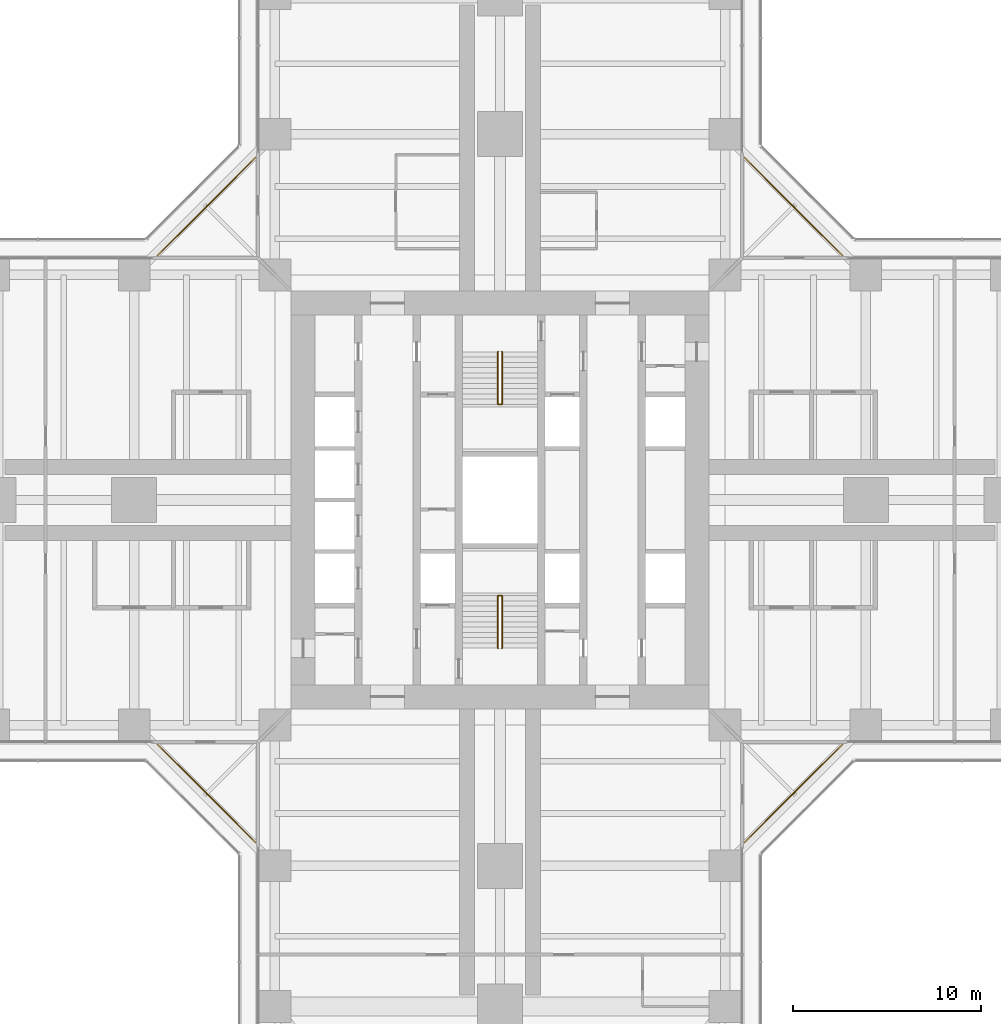
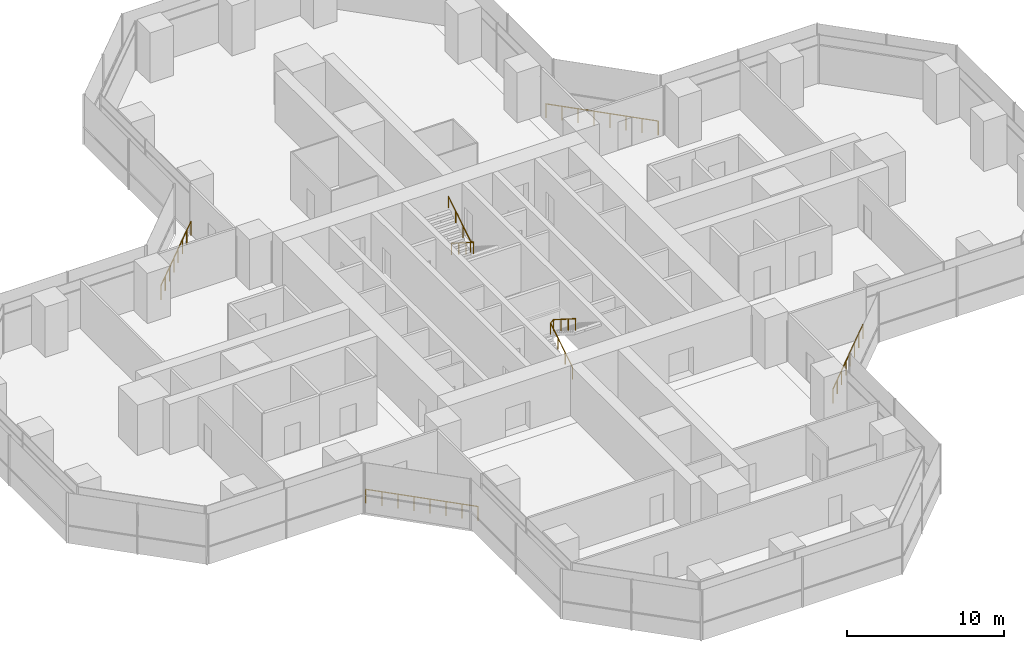
# One storey, part 22 of 22: 6 railings.
"""IFC4 building model written with IfcOpenShell, lengths in metres."""

from ifc_helpers import new_model, si_unit, direction, frame, origin, origin_2d, place, context, subcontext, project, spatial, circle, extrude, material, type_object, element, save


model = new_model("IFC4")

# Units and contexts
model_context = context("Model", 3, precision=1e-05, world=origin(), true_north=direction((0.0, 1.0)))
body_context = subcontext(model_context, "Body", "Model", "MODEL_VIEW")
ifc_project = project(units=[si_unit("LENGTHUNIT", "METRE"), si_unit("AREAUNIT", "SQUARE_METRE"), si_unit("VOLUMEUNIT", "CUBIC_METRE"), si_unit("PLANEANGLEUNIT", "RADIAN"), si_unit("MASSUNIT", "GRAM", prefix="KILO")], contexts=[model_context])

# Site, building, storey
site_placement = place(None, origin())
site = spatial("IfcSite", under=ifc_project, at=site_placement, CompositionType="ELEMENT")
building_placement = place(site_placement, origin())
building = spatial("IfcBuilding", under=site, at=building_placement, Name="Mizan Broadcast Tower", CompositionType="ELEMENT")
storey_placement = place(building_placement, frame((0.0, 0.0, 55.199951171875)))
storey = spatial("IfcBuildingStorey", under=building, at=storey_placement, Name="L10", CompositionType="ELEMENT", Elevation=55.199951171875)

# Railings
ifc_material_1 = material(Name="Stainless steel and glass guard", Category="steel")
railing_type_1 = type_object("IfcRailingType", Name="GUARD 1100", PredefinedType="GUARDRAIL", material=ifc_material_1)
railing_1_placement = place(storey_placement, frame((18.2578125, 13.030029296875, 0.0)))
element("IfcRailing", 1, at=railing_1_placement, inside=storey, type_object=railing_type_1, Name="Winter garden guard L10 E", PredefinedType="GUARDRAIL", context=body_context, shape_type="SweptSolid", body=[
    extrude(circle(Radius=0.02392578125, at=origin_2d()), frame((0.0, 0.0, 1.076171875), z_axis=(-0.707106781187, 0.707106781187, 0.0), x_axis=(-0.707106781187, -0.707106781187, 0.0)), (0.0, 0.0, 1.0), 7.393310546875),
    extrude(circle(Radius=0.02099609375, at=origin_2d()), origin(), (0.0, 0.0, 1.0), 1.052001953125),
    extrude(circle(Radius=0.02099609375, at=origin_2d()), frame((-0.746826171875, 0.746826171875, 0.0)), (0.0, 0.0, 1.0), 1.052001953125),
    extrude(circle(Radius=0.02099609375, at=origin_2d()), frame((-1.49365234375, 1.49365234375, 0.0)), (0.0, 0.0, 1.0), 1.052001953125),
    extrude(circle(Radius=0.02099609375, at=origin_2d()), frame((-2.240478515625, 2.240478515625, 0.0)), (0.0, 0.0, 1.0), 1.052001953125),
    extrude(circle(Radius=0.02099609375, at=origin_2d()), frame((-2.9873046875, 2.9873046875, 0.0)), (0.0, 0.0, 1.0), 1.052001953125),
    extrude(circle(Radius=0.02099609375, at=origin_2d()), frame((-3.734130859375, 3.734130859375, 0.0)), (0.0, 0.0, 1.0), 1.052001953125),
    extrude(circle(Radius=0.02099609375, at=origin_2d()), frame((-4.48095703125, 4.48095703125, 0.0)), (0.0, 0.0, 1.0), 1.052001953125),
    extrude(circle(Radius=0.02099609375, at=origin_2d()), frame((-5.227783203125, 5.227783203125, 0.0)), (0.0, 0.0, 1.0), 1.052001953125),
])
railing_2_placement = place(storey_placement, frame((-13.030029296875, 18.2578125, 0.0)))
element("IfcRailing", 2, at=railing_2_placement, inside=storey, type_object=railing_type_1, Name="Winter garden guard L10 N", PredefinedType="GUARDRAIL", context=body_context, shape_type="SweptSolid", body=[
    extrude(circle(Radius=0.02392578125, at=origin_2d()), frame((0.0, 0.0, 1.076171875), z_axis=(-0.707106781187, -0.707106781187, 0.0), x_axis=(0.707106781187, -0.707106781187, 0.0)), (0.0, 0.0, 1.0), 7.393310546875),
    extrude(circle(Radius=0.02099609375, at=origin_2d()), origin(), (0.0, 0.0, 1.0), 1.052001953125),
    extrude(circle(Radius=0.02099609375, at=origin_2d()), frame((-0.746826171875, -0.746826171875, 0.0)), (0.0, 0.0, 1.0), 1.052001953125),
    extrude(circle(Radius=0.02099609375, at=origin_2d()), frame((-1.49365234375, -1.49365234375, 0.0)), (0.0, 0.0, 1.0), 1.052001953125),
    extrude(circle(Radius=0.02099609375, at=origin_2d()), frame((-2.240478515625, -2.240478515625, 0.0)), (0.0, 0.0, 1.0), 1.052001953125),
    extrude(circle(Radius=0.02099609375, at=origin_2d()), frame((-2.9873046875, -2.9873046875, 0.0)), (0.0, 0.0, 1.0), 1.052001953125),
    extrude(circle(Radius=0.02099609375, at=origin_2d()), frame((-3.734130859375, -3.734130859375, 0.0)), (0.0, 0.0, 1.0), 1.052001953125),
    extrude(circle(Radius=0.02099609375, at=origin_2d()), frame((-4.48095703125, -4.48095703125, 0.0)), (0.0, 0.0, 1.0), 1.052001953125),
    extrude(circle(Radius=0.02099609375, at=origin_2d()), frame((-5.227783203125, -5.227783203125, 0.0)), (0.0, 0.0, 1.0), 1.052001953125),
])
railing_3_placement = place(storey_placement, frame((-18.2578125, -13.030029296875, 0.0)))
element("IfcRailing", 3, at=railing_3_placement, inside=storey, type_object=railing_type_1, Name="Winter garden guard L10 W", PredefinedType="GUARDRAIL", context=body_context, shape_type="SweptSolid", body=[
    extrude(circle(Radius=0.02392578125, at=origin_2d()), frame((0.0, 0.0, 1.076171875), z_axis=(0.707106781187, -0.707106781187, 0.0), x_axis=(0.707106781187, 0.707106781187, 0.0)), (0.0, 0.0, 1.0), 7.393310546875),
    extrude(circle(Radius=0.02099609375, at=origin_2d()), origin(), (0.0, 0.0, 1.0), 1.052001953125),
    extrude(circle(Radius=0.02099609375, at=origin_2d()), frame((0.746826171875, -0.746826171875, 0.0)), (0.0, 0.0, 1.0), 1.052001953125),
    extrude(circle(Radius=0.02099609375, at=origin_2d()), frame((1.49365234375, -1.49365234375, 0.0)), (0.0, 0.0, 1.0), 1.052001953125),
    extrude(circle(Radius=0.02099609375, at=origin_2d()), frame((2.240478515625, -2.240478515625, 0.0)), (0.0, 0.0, 1.0), 1.052001953125),
    extrude(circle(Radius=0.02099609375, at=origin_2d()), frame((2.9873046875, -2.9873046875, 0.0)), (0.0, 0.0, 1.0), 1.052001953125),
    extrude(circle(Radius=0.02099609375, at=origin_2d()), frame((3.734130859375, -3.734130859375, 0.0)), (0.0, 0.0, 1.0), 1.052001953125),
    extrude(circle(Radius=0.02099609375, at=origin_2d()), frame((4.48095703125, -4.48095703125, 0.0)), (0.0, 0.0, 1.0), 1.052001953125),
    extrude(circle(Radius=0.02099609375, at=origin_2d()), frame((5.227783203125, -5.227783203125, 0.0)), (0.0, 0.0, 1.0), 1.052001953125),
])
railing_4_placement = place(storey_placement, frame((13.030029296875, -18.2578125, 0.0)))
element("IfcRailing", 4, at=railing_4_placement, inside=storey, type_object=railing_type_1, Name="Winter garden guard L10 S", PredefinedType="GUARDRAIL", context=body_context, shape_type="SweptSolid", body=[
    extrude(circle(Radius=0.02392578125, at=origin_2d()), frame((0.0, 0.0, 1.076171875), z_axis=(0.707106781187, 0.707106781187, 0.0), x_axis=(-0.707106781187, 0.707106781187, 0.0)), (0.0, 0.0, 1.0), 7.393310546875),
    extrude(circle(Radius=0.02099609375, at=origin_2d()), origin(), (0.0, 0.0, 1.0), 1.052001953125),
    extrude(circle(Radius=0.02099609375, at=origin_2d()), frame((0.746826171875, 0.746826171875, 0.0)), (0.0, 0.0, 1.0), 1.052001953125),
    extrude(circle(Radius=0.02099609375, at=origin_2d()), frame((1.49365234375, 1.49365234375, 0.0)), (0.0, 0.0, 1.0), 1.052001953125),
    extrude(circle(Radius=0.02099609375, at=origin_2d()), frame((2.240478515625, 2.240478515625, 0.0)), (0.0, 0.0, 1.0), 1.052001953125),
    extrude(circle(Radius=0.02099609375, at=origin_2d()), frame((2.9873046875, 2.9873046875, 0.0)), (0.0, 0.0, 1.0), 1.052001953125),
    extrude(circle(Radius=0.02099609375, at=origin_2d()), frame((3.734130859375, 3.734130859375, 0.0)), (0.0, 0.0, 1.0), 1.052001953125),
    extrude(circle(Radius=0.02099609375, at=origin_2d()), frame((4.48095703125, 4.48095703125, 0.0)), (0.0, 0.0, 1.0), 1.052001953125),
    extrude(circle(Radius=0.02099609375, at=origin_2d()), frame((5.227783203125, 5.227783203125, 0.0)), (0.0, 0.0, 1.0), 1.052001953125),
])
ifc_material_2 = material(Name="Stainless steel", Category="steel")
railing_type_2 = type_object("IfcRailingType", Name="HANDRAIL 50", PredefinedType="HANDRAIL", material=ifc_material_2)
railing_5_placement = place(storey_placement, frame((-0.110107421875, -7.89990234375, 0.17724609375)))
element("IfcRailing", 5, at=railing_5_placement, inside=storey, type_object=railing_type_2, Name="Stair A handrail", PredefinedType="HANDRAIL", context=body_context, shape_type="SweptSolid", body=[
    extrude(circle(Radius=0.02392578125, at=origin_2d()), frame((0.0, 0.0, 0.8759765625), z_axis=(0.0, 0.844887892834, 0.53494340686), x_axis=(-1.0, 0.0, 0.0)), (0.0, 0.0, 1.0), 3.313720703125),
    extrude(circle(Radius=0.02392578125, at=origin_2d()), frame((0.0, 2.7998046875, 2.6484375), z_axis=(0.77858989007, 0.0, 0.627533093216), x_axis=(0.0, 1.0, 0.0)), (0.0, 0.0, 1.0), 0.282958984375),
    extrude(circle(Radius=0.02392578125, at=origin_2d()), frame((0.22021484375, 2.7998046875, 2.826171875), z_axis=(0.0, -0.844887892834, 0.53494340686), x_axis=(1.0, 0.0, 0.0)), (0.0, 0.0, 1.0), 3.313720703125),
    extrude(circle(Radius=0.02099609375, at=origin_2d()), origin(), (0.0, 0.0, 1.0), 0.851806640625),
    extrude(circle(Radius=0.02099609375, at=origin_2d()), frame((0.0, 0.933349609375, 0.5908203125)), (0.0, 0.0, 1.0), 0.851806640625),
    extrude(circle(Radius=0.02099609375, at=origin_2d()), frame((0.0, 1.866455078125, 1.181884765625)), (0.0, 0.0, 1.0), 0.851806640625),
    extrude(circle(Radius=0.02099609375, at=origin_2d()), frame((0.0, 2.7998046875, 1.772705078125)), (0.0, 0.0, 1.0), 0.851806640625),
    extrude(circle(Radius=0.02099609375, at=origin_2d()), frame((0.22021484375, 2.7998046875, 1.9501953125)), (0.0, 0.0, 1.0), 0.851806640625),
    extrude(circle(Radius=0.02099609375, at=origin_2d()), frame((0.22021484375, 1.866455078125, 2.541015625)), (0.0, 0.0, 1.0), 0.851806640625),
    extrude(circle(Radius=0.02099609375, at=origin_2d()), frame((0.22021484375, 0.933349609375, 3.132080078125)), (0.0, 0.0, 1.0), 0.851806640625),
    extrude(circle(Radius=0.02099609375, at=origin_2d()), frame((0.22021484375, 0.0, 3.722900390625)), (0.0, 0.0, 1.0), 0.851806640625),
])
railing_6_placement = place(storey_placement, frame((0.110107421875, 7.89990234375, 0.17724609375)))
element("IfcRailing", 6, at=railing_6_placement, inside=storey, type_object=railing_type_2, Name="Stair B handrail", PredefinedType="HANDRAIL", context=body_context, shape_type="SweptSolid", body=[
    extrude(circle(Radius=0.02392578125, at=origin_2d()), frame((0.0, 0.0, 0.8759765625), z_axis=(0.0, -0.844887892834, 0.53494340686), x_axis=(1.0, 0.0, 0.0)), (0.0, 0.0, 1.0), 3.313720703125),
    extrude(circle(Radius=0.02392578125, at=origin_2d()), frame((0.0, -2.7998046875, 2.6484375), z_axis=(-0.77858989007, 0.0, 0.627533093216), x_axis=(0.0, -1.0, 0.0)), (0.0, 0.0, 1.0), 0.282958984375),
    extrude(circle(Radius=0.02392578125, at=origin_2d()), frame((-0.22021484375, -2.7998046875, 2.826171875), z_axis=(0.0, 0.844887892834, 0.53494340686), x_axis=(-1.0, 0.0, 0.0)), (0.0, 0.0, 1.0), 3.313720703125),
    extrude(circle(Radius=0.02099609375, at=origin_2d()), origin(), (0.0, 0.0, 1.0), 0.851806640625),
    extrude(circle(Radius=0.02099609375, at=origin_2d()), frame((0.0, -0.933349609375, 0.5908203125)), (0.0, 0.0, 1.0), 0.851806640625),
    extrude(circle(Radius=0.02099609375, at=origin_2d()), frame((0.0, -1.866455078125, 1.181884765625)), (0.0, 0.0, 1.0), 0.851806640625),
    extrude(circle(Radius=0.02099609375, at=origin_2d()), frame((0.0, -2.7998046875, 1.772705078125)), (0.0, 0.0, 1.0), 0.851806640625),
    extrude(circle(Radius=0.02099609375, at=origin_2d()), frame((-0.22021484375, -2.7998046875, 1.9501953125)), (0.0, 0.0, 1.0), 0.851806640625),
    extrude(circle(Radius=0.02099609375, at=origin_2d()), frame((-0.22021484375, -1.866455078125, 2.541015625)), (0.0, 0.0, 1.0), 0.851806640625),
    extrude(circle(Radius=0.02099609375, at=origin_2d()), frame((-0.22021484375, -0.933349609375, 3.132080078125)), (0.0, 0.0, 1.0), 0.851806640625),
    extrude(circle(Radius=0.02099609375, at=origin_2d()), frame((-0.22021484375, 0.0, 3.722900390625)), (0.0, 0.0, 1.0), 0.851806640625),
])

save(model, "model.ifc")
